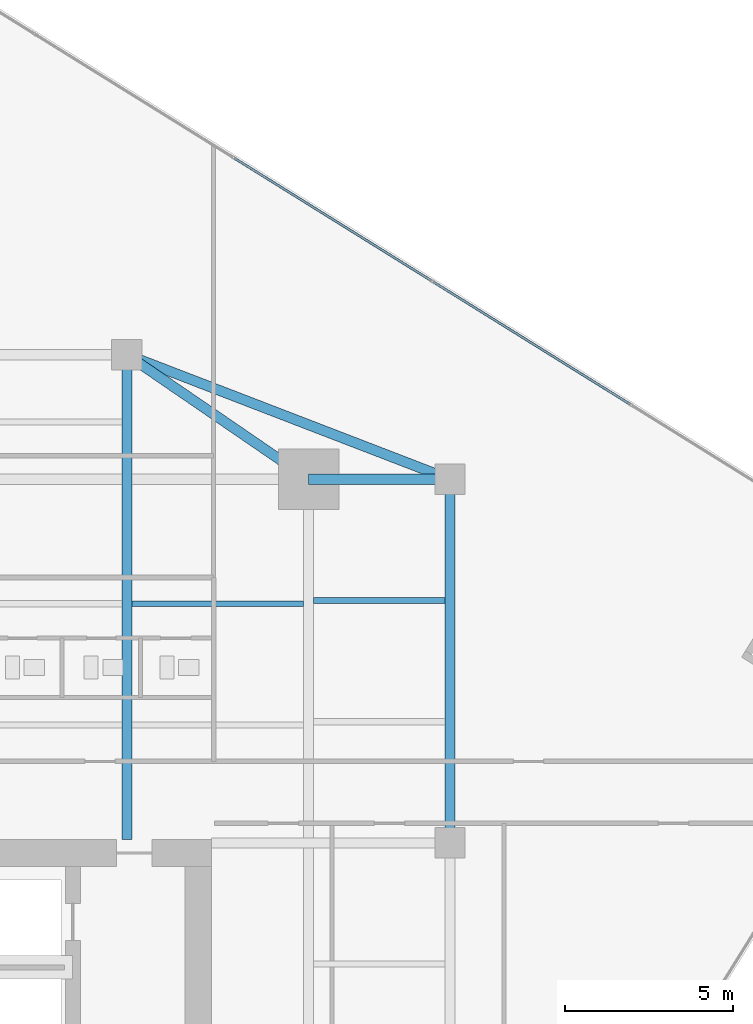
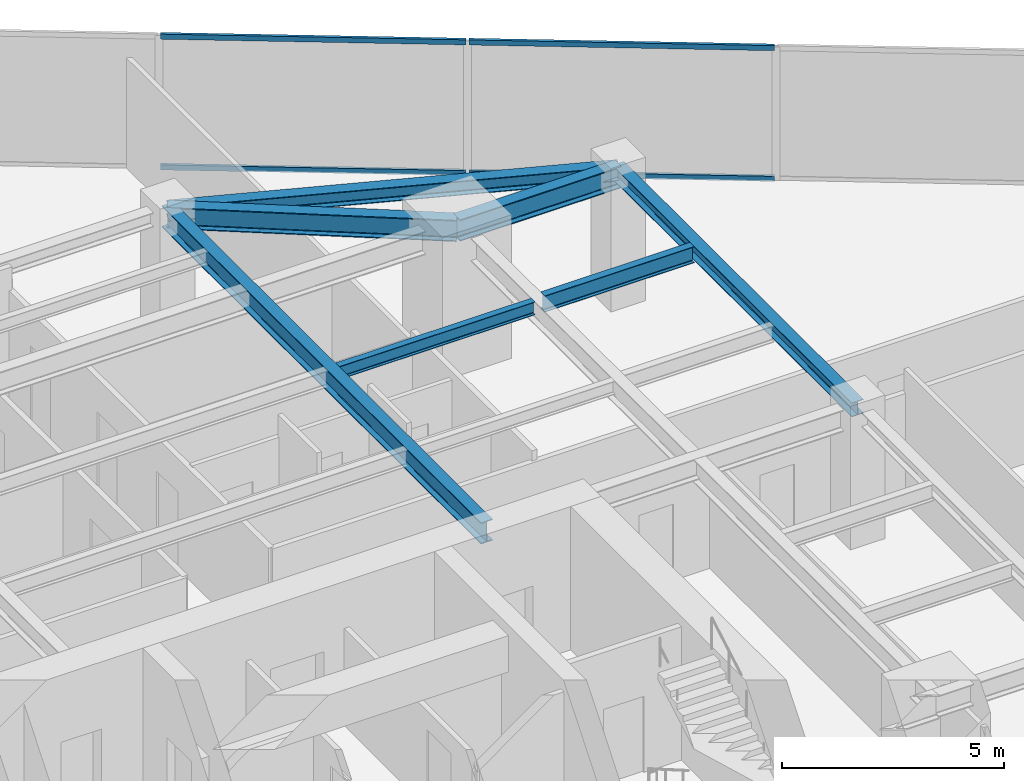
# One storey, part 17 of 25: 7 beams, 4 members, 1 element without a shape of its own.
"""IFC4 building model written with IfcOpenShell, lengths in metres."""

from ifc_helpers import new_model, si_unit, direction, frame, origin, origin_2d, place, context, subcontext, project, spatial, hollow_rectangle, i_section, extrude, source, transform, mapped, material, material_profile, profile_set, type_object, type_shapes, element, aggregate, save


model = new_model("IFC4")

# Units and contexts
model_context = context("Model", 3, precision=1e-05, world=origin(), true_north=direction((0.0, 1.0)))
body_context = subcontext(model_context, "Body", "Model", "MODEL_VIEW")
ifc_project = project(units=[si_unit("LENGTHUNIT", "METRE"), si_unit("AREAUNIT", "SQUARE_METRE"), si_unit("VOLUMEUNIT", "CUBIC_METRE"), si_unit("PLANEANGLEUNIT", "RADIAN"), si_unit("MASSUNIT", "GRAM", prefix="KILO")], contexts=[model_context])

# Site, building, storey
site_placement = place(None, origin())
site = spatial("IfcSite", under=ifc_project, at=site_placement, CompositionType="ELEMENT")
building_placement = place(site_placement, origin())
building = spatial("IfcBuilding", under=site, at=building_placement, Name="Krantzveldt Concourse Tower", CompositionType="ELEMENT")
storey_placement = place(building_placement, frame((0.0, 0.0, 181.75)))
storey = spatial("IfcBuildingStorey", under=building, at=storey_placement, Name="L44", CompositionType="ELEMENT", Elevation=181.75)

# Beams
ifc_material_1 = material(Name="Steel S355JR", Category="steel")
ifc_material_profile_1 = material_profile(ifc_material_1, i_section(OverallWidth=0.300048828125, OverallDepth=0.590087890625, WebThickness=0.012939453125, FlangeThickness=0.02490234375, FilletRadius=0.027099609375, at=origin_2d()), Name="Steel S355JR", Category="steel")
ifc_profile_set_1 = profile_set([ifc_material_profile_1], Name="Steel S355JR - HEA 600")
beam_type_1 = type_object("IfcBeamType", Name="BM-B-HEA600", PredefinedType="BEAM", material=ifc_profile_set_1)
shared_shape_1 = source(origin(), body_context, "Body", "SweptSolid", [
    extrude(i_section(OverallWidth=0.300048828125, OverallDepth=0.590087890625, WebThickness=0.012939453125, FlangeThickness=0.02490234375, FilletRadius=0.027099609375, at=origin_2d()), origin(), (0.0, 0.0, 1.0), 14.39990234375),
])
beam_1_placement = place(storey_placement, frame((41.39990234375, 26.800048828125, 3.375), z_axis=(0.0, 1.0, 0.0), x_axis=(-1.0, 0.0, 0.0)))
element("IfcBeam", 1, at=beam_1_placement, inside=storey, type_object=beam_type_1, Name="L44 Tower Girder BG-CNE", PredefinedType="BEAM", context=body_context, shape_type="MappedRepresentation", body=[
    mapped(shared_shape_1, transform((0.0, 0.0, 0.0), x_axis=(1.0, 0.0, 0.0), y_axis=(0.0, 1.0, 0.0), z_axis=(0.0, 0.0, 1.0), scale=1.0)),
])
shared_shape_2 = source(origin(), body_context, "Body", "SweptSolid", [
    extrude(i_section(OverallWidth=0.300048828125, OverallDepth=0.590087890625, WebThickness=0.012939453125, FlangeThickness=0.02490234375, FilletRadius=0.027099609375, at=origin_2d()), origin(), (0.0, 0.0, 1.0), 4.199951171875),
])
beam_2_placement = place(storey_placement, frame((46.800048828125, 37.5, 3.375), z_axis=(1.0, 0.0, 0.0), x_axis=(0.0, 1.0, 0.0)))
element("IfcBeam", 2, at=beam_2_placement, inside=storey, type_object=beam_type_1, Name="L44 Tower Girder BR-RR3", PredefinedType="BEAM", context=body_context, shape_type="MappedRepresentation", body=[
    mapped(shared_shape_2, transform((0.0, 0.0, 0.0), x_axis=(1.0, 0.0, 0.0), y_axis=(0.0, 1.0, 0.0), z_axis=(0.0, 0.0, 1.0), scale=1.0)),
])
shared_shape_3 = source(origin(), body_context, "Body", "SweptSolid", [
    extrude(i_section(OverallWidth=0.300048828125, OverallDepth=0.590087890625, WebThickness=0.012939453125, FlangeThickness=0.02490234375, FilletRadius=0.027099609375, at=origin_2d()), origin(), (0.0, 0.0, 1.0), 6.546142578125),
])
type_shapes(beam_type_1, [shared_shape_1, shared_shape_2, shared_shape_3])
beam_3_placement = place(storey_placement, frame((46.800048828125, 37.5, 3.375), z_axis=(-0.824942999484, 0.565215930068, 0.0), x_axis=(-0.565215930068, -0.824942999484, 0.0)))
element("IfcBeam", 3, at=beam_3_placement, inside=storey, type_object=beam_type_1, Name="L44 Tower Girder BR-RR4", PredefinedType="BEAM", context=body_context, shape_type="MappedRepresentation", body=[
    mapped(shared_shape_3, transform((0.0, 0.0, 0.0), x_axis=(1.0, 0.0, 0.0), y_axis=(0.0, 1.0, 0.0), z_axis=(0.0, 0.0, 1.0), scale=1.0)),
])
ifc_material_profile_2 = material_profile(ifc_material_1, i_section(OverallWidth=0.300048828125, OverallDepth=0.389892578125, WebThickness=0.010986328125, FlangeThickness=0.01904296875, FilletRadius=0.027099609375, at=origin_2d()), Name="Steel S355JR", Category="steel")
ifc_profile_set_2 = profile_set([ifc_material_profile_2], Name="Steel S355JR - HEA 400")
beam_type_2 = type_object("IfcBeamType", Name="BM-SP-HEA400", PredefinedType="SPANDREL", material=ifc_profile_set_2)
shared_shape_4 = source(origin(), body_context, "Body", "SweptSolid", [
    extrude(i_section(OverallWidth=0.300048828125, OverallDepth=0.389892578125, WebThickness=0.010986328125, FlangeThickness=0.01904296875, FilletRadius=0.027099609375, at=origin_2d()), origin(), (0.0, 0.0, 1.0), 10.800048828125),
])
beam_4_placement = place(storey_placement, frame((51.0, 37.5, 3.47509765625), z_axis=(0.0, -1.0, 0.0), x_axis=(1.0, 0.0, 0.0)))
element("IfcBeam", 4, at=beam_4_placement, inside=storey, type_object=beam_type_2, Name="L44 Tower Girder SP-R06", PredefinedType="SPANDREL", context=body_context, shape_type="MappedRepresentation", body=[
    mapped(shared_shape_4, transform((0.0, 0.0, 0.0), x_axis=(1.0, 0.0, 0.0), y_axis=(0.0, 1.0, 0.0), z_axis=(0.0, 0.0, 1.0), scale=1.0)),
])
shared_shape_5 = source(origin(), body_context, "Body", "SweptSolid", [
    extrude(i_section(OverallWidth=0.300048828125, OverallDepth=0.389892578125, WebThickness=0.010986328125, FlangeThickness=0.01904296875, FilletRadius=0.027099609375, at=origin_2d()), origin(), (0.0, 0.0, 1.0), 10.288330078125),
])
type_shapes(beam_type_2, [shared_shape_4, shared_shape_5])
beam_5_placement = place(storey_placement, frame((41.39990234375, 41.199951171875, 3.47509765625), z_axis=(0.933097690408, -0.359622997257, 0.0), x_axis=(0.359622997257, 0.933097690408, 0.0)))
element("IfcBeam", 5, at=beam_5_placement, inside=storey, type_object=beam_type_2, Name="L44 Tower Girder SP-R05", PredefinedType="SPANDREL", context=body_context, shape_type="MappedRepresentation", body=[
    mapped(shared_shape_5, transform((0.0, 0.0, 0.0), x_axis=(1.0, 0.0, 0.0), y_axis=(0.0, 1.0, 0.0), z_axis=(0.0, 0.0, 1.0), scale=1.0)),
])
ifc_material_profile_3 = material_profile(ifc_material_1, i_section(OverallWidth=0.169921875, OverallDepth=0.360107421875, WebThickness=0.008056640625, FlangeThickness=0.0126953125, FilletRadius=0.01806640625, at=origin_2d()), Name="Steel S355JR", Category="steel")
ifc_profile_set_3 = profile_set([ifc_material_profile_3], Name="Steel S355JR - IPE 360")
beam_type_3 = type_object("IfcBeamType", Name="BM-J-IPE360", PredefinedType="JOIST", material=ifc_profile_set_3)
shared_shape_6 = source(origin(), body_context, "Body", "SweptSolid", [
    extrude(i_section(OverallWidth=0.169921875, OverallDepth=0.360107421875, WebThickness=0.008056640625, FlangeThickness=0.0126953125, FilletRadius=0.01806640625, at=origin_2d()), origin(), (0.0, 0.0, 1.0), 5.099853515625),
])
type_shapes(beam_type_3, [shared_shape_6])
beam_6_placement = place(storey_placement, frame((41.550048828125, 33.800048828125, 3.489990234375), z_axis=(1.0, 0.0, 0.0), x_axis=(0.0, 1.0, 0.0)))
element("IfcBeam", 6, at=beam_6_placement, inside=storey, type_object=beam_type_3, Name="L44 Secondary Floor Joist JN-E2", PredefinedType="JOIST", context=body_context, shape_type="MappedRepresentation", body=[
    mapped(shared_shape_6, transform((0.0, 0.0, 0.0), x_axis=(1.0, 0.0, 0.0), y_axis=(0.0, 1.0, 0.0), z_axis=(0.0, 0.0, 1.0), scale=1.0)),
])
ifc_material_profile_4 = material_profile(ifc_material_1, i_section(OverallWidth=0.18994140625, OverallDepth=0.449951171875, WebThickness=0.009521484375, FlangeThickness=0.0146484375, FilletRadius=0.02099609375, at=origin_2d()), Name="Steel S355JR", Category="steel")
ifc_profile_set_4 = profile_set([ifc_material_profile_4], Name="Steel S355JR - IPE 450")
beam_type_4 = type_object("IfcBeamType", Name="BM-J-IPE450", PredefinedType="JOIST", material=ifc_profile_set_4)
shared_shape_7 = source(origin(), body_context, "Body", "SweptSolid", [
    extrude(i_section(OverallWidth=0.18994140625, OverallDepth=0.449951171875, WebThickness=0.009521484375, FlangeThickness=0.0146484375, FilletRadius=0.02099609375, at=origin_2d()), origin(), (0.0, 0.0, 1.0), 3.900146484375),
])
type_shapes(beam_type_4, [shared_shape_7])
beam_7_placement = place(storey_placement, frame((46.949951171875, 33.89990234375, 3.445068359375), z_axis=(1.0, 0.0, 0.0), x_axis=(0.0, 1.0, 0.0)))
element("IfcBeam", 7, at=beam_7_placement, inside=storey, type_object=beam_type_4, Name="L44 Secondary Floor Joist JE-4", PredefinedType="JOIST", context=body_context, shape_type="MappedRepresentation", body=[
    mapped(shared_shape_7, transform((0.0, 0.0, 0.0), x_axis=(1.0, 0.0, 0.0), y_axis=(0.0, 1.0, 0.0), z_axis=(0.0, 0.0, 1.0), scale=1.0)),
])

# Curtain wall, members
ifc_material_2 = material(Name="Anodised aluminium 6063-T6", Category="aluminium")
curtain_wall_type = type_object("IfcCurtainWallType", Name="CW3", PredefinedType="USERDEFINED", material=ifc_material_2)
curtain_wall_placement = place(storey_placement, origin())
curtain_wall = element("IfcCurtainWall", 8, at=curtain_wall_placement, inside=storey, type_object=curtain_wall_type, Name="CW-L44-F10", ObjectType="UNITISED CURTAIN WALL", PredefinedType="USERDEFINED")
ifc_material_profile_5 = material_profile(ifc_material_2, hollow_rectangle(XDim=0.070068359375, YDim=0.139892578125, WallThickness=0.0048828125, at=origin_2d()), Name="Anodised aluminium 6063-T6", Category="aluminium")
ifc_profile_set_5 = profile_set([ifc_material_profile_5], Name="Anodised aluminium 6063-T6 - ALU-TRAN 140x70x5")
member_type = type_object("IfcMemberType", Name="CW-TRN-150", PredefinedType="USERDEFINED", material=ifc_profile_set_5)
shared_shape_8 = source(origin(), body_context, "Body", "SweptSolid", [
    extrude(hollow_rectangle(XDim=0.070068359375, YDim=0.139892578125, WallThickness=0.0048828125, at=origin_2d()), origin(), (0.0, 0.0, 1.0), 6.89013671875),
])
member_1_placement = place(storey_placement, frame((50.442626953125, 43.40185546875, 0.034912109375), z_axis=(-0.849202443437, 0.528067429464, 0.0), x_axis=(-0.528067429464, -0.849202443437, 0.0)))
member_1 = element("IfcMember", 9, at=member_1_placement, type_object=member_type, Name="CW-Z34 transom 3.1", ObjectType="TRANSOM", PredefinedType="USERDEFINED", context=body_context, shape_type="MappedRepresentation", body=[
    mapped(shared_shape_8, transform((0.0, 0.0, 0.0), x_axis=(1.0, 0.0, 0.0), y_axis=(0.0, 1.0, 0.0), z_axis=(0.0, 0.0, 1.0), scale=1.0)),
])
member_2_placement = place(storey_placement, frame((50.442626953125, 43.40185546875, 3.635009765625), z_axis=(-0.849202443437, 0.528067429464, 0.0), x_axis=(-0.528067429464, -0.849202443437, 0.0)))
member_2 = element("IfcMember", 10, at=member_2_placement, type_object=member_type, Name="CW-Z34 transom 3.2", ObjectType="TRANSOM", PredefinedType="USERDEFINED", context=body_context, shape_type="MappedRepresentation", body=[
    mapped(shared_shape_8, transform((0.0, 0.0, 0.0), x_axis=(1.0, 0.0, 0.0), y_axis=(0.0, 1.0, 0.0), z_axis=(0.0, 0.0, 1.0), scale=1.0)),
])
shared_shape_9 = source(origin(), body_context, "Body", "SweptSolid", [
    extrude(hollow_rectangle(XDim=0.070068359375, YDim=0.139892578125, WallThickness=0.0048828125, at=origin_2d()), origin(), (0.0, 0.0, 1.0), 6.889892578125),
])
type_shapes(member_type, [shared_shape_8, shared_shape_9])
member_3_placement = place(storey_placement, frame((56.35302734375, 39.7265625, 0.034912109375), z_axis=(-0.849192562138, 0.528083319572, 0.0), x_axis=(-0.528083319572, -0.849192562138, 0.0)))
member_3 = element("IfcMember", 11, at=member_3_placement, type_object=member_type, Name="CW-Z34 transom 2.1", ObjectType="TRANSOM", PredefinedType="USERDEFINED", context=body_context, shape_type="MappedRepresentation", body=[
    mapped(shared_shape_9, transform((0.0, 0.0, 0.0), x_axis=(1.0, 0.0, 0.0), y_axis=(0.0, 1.0, 0.0), z_axis=(0.0, 0.0, 1.0), scale=1.0)),
])
member_4_placement = place(storey_placement, frame((56.35302734375, 39.7265625, 3.635009765625), z_axis=(-0.849192562138, 0.528083319572, 0.0), x_axis=(-0.528083319572, -0.849192562138, 0.0)))
member_4 = element("IfcMember", 12, at=member_4_placement, type_object=member_type, Name="CW-Z34 transom 2.2", ObjectType="TRANSOM", PredefinedType="USERDEFINED", context=body_context, shape_type="MappedRepresentation", body=[
    mapped(shared_shape_9, transform((0.0, 0.0, 0.0), x_axis=(1.0, 0.0, 0.0), y_axis=(0.0, 1.0, 0.0), z_axis=(0.0, 0.0, 1.0), scale=1.0)),
])
aggregate(curtain_wall, [member_3, member_4, member_1, member_2])

save(model, "model.ifc")
